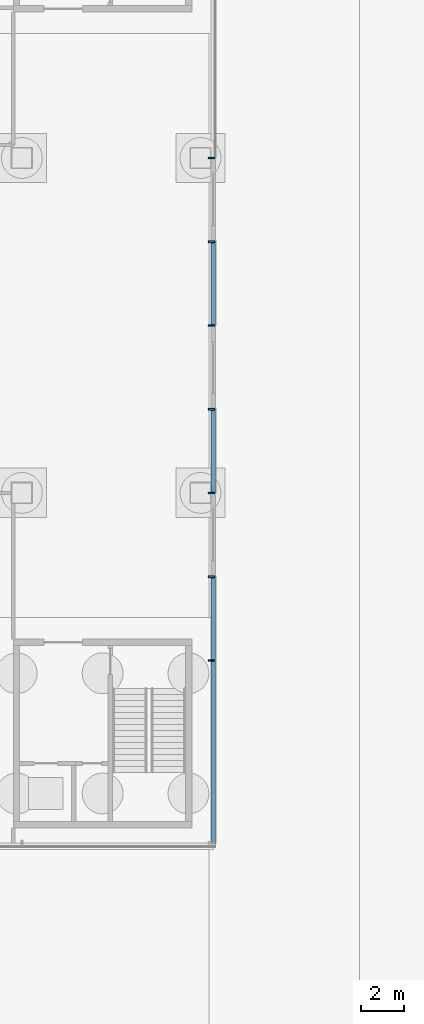
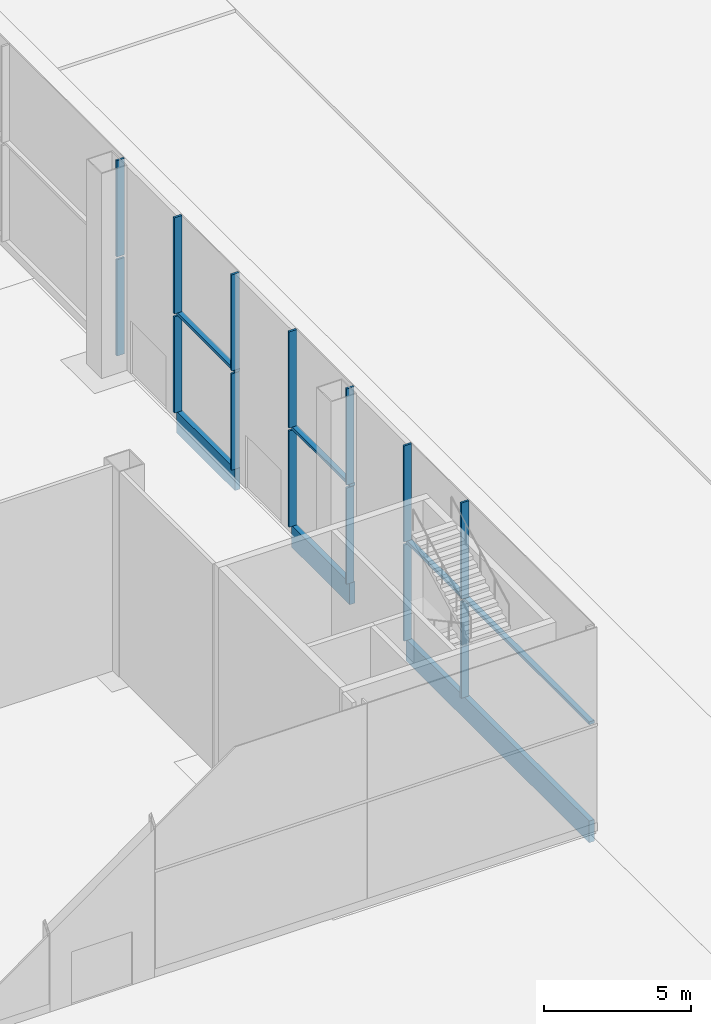
# One storey, part 27 of 113: 20 members, 1 element without a shape of its own.
"""IFC4 building model written with IfcOpenShell, lengths in metres."""

from ifc_helpers import new_model, si_unit, direction, frame, origin, origin_2d, place, context, subcontext, project, spatial, rectangle, extrude, material, layer, layer_set, material_profile, profile_set, type_object, element, aggregate, save


model = new_model("IFC4")

# Units and contexts
model_context = context("Model", 3, precision=1e-05, world=origin(), true_north=direction((0.0, 1.0)))
body_context = subcontext(model_context, "Body", "Model", "MODEL_VIEW")
ifc_project = project(units=[si_unit("LENGTHUNIT", "METRE"), si_unit("AREAUNIT", "SQUARE_METRE"), si_unit("VOLUMEUNIT", "CUBIC_METRE"), si_unit("PLANEANGLEUNIT", "RADIAN"), si_unit("MASSUNIT", "GRAM", prefix="KILO")], contexts=[model_context])

# Site, building, storey
site_placement = place(None, origin())
site = spatial("IfcSite", under=ifc_project, at=site_placement, CompositionType="ELEMENT")
building_placement = place(site_placement, origin())
building = spatial("IfcBuilding", under=site, at=building_placement, Name="Hakoniwa Tower and Hamabe Station Hall", CompositionType="ELEMENT")
storey_placement = place(building_placement, origin())
storey = spatial("IfcBuildingStorey", under=building, at=storey_placement, Name="L01", CompositionType="ELEMENT", Elevation=0.0)

# Curtain wall, members
ifc_material_1 = material(Name="Dark low-e laminated glass", Category="glass")
ifc_layer = layer(ifc_material_1, 0.199951171875)
ifc_layer_set = layer_set([ifc_layer], Name="CW-7 STATION")
curtain_wall_type = type_object("IfcCurtainWallType", Name="CW-7 STATION", PredefinedType="NOTDEFINED", material=ifc_layer_set)
curtain_wall_placement = place(storey_placement, origin())
curtain_wall = element("IfcCurtainWall", 1, at=curtain_wall_placement, inside=storey, type_object=curtain_wall_type, Name="Station curtain wall L01 east", PredefinedType="NOTDEFINED")
ifc_material_2 = material(Name="Aluminium 6063-T5 black anodised", Category="aluminium")
ifc_material_profile_1 = material_profile(ifc_material_2, rectangle(XDim=0.199951171875, YDim=0.1201171875, at=origin_2d()), Name="CW MID TRANSOM 120X200")
ifc_profile_set_1 = profile_set([ifc_material_profile_1], Name="Aluminium 6063-T5 black anodised")
member_type_1 = type_object("IfcMemberType", Name="CW MID TRANSOM 120X200", PredefinedType="USERDEFINED", material=ifc_profile_set_1)
member_1_placement = place(storey_placement, frame((169.75, -24.10009765625, 4.39990234375), z_axis=(0.0, 1.0, 0.0), x_axis=(-1.0, 0.0, 0.0)))
member_1 = element("IfcMember", 2, at=member_1_placement, type_object=member_type_1, Name="CW-7 transom", ObjectType="TRANSOM", PredefinedType="USERDEFINED", context=body_context, shape_type="SweptSolid", body=[
    extrude(rectangle(XDim=0.199951171875, YDim=0.1201171875, at=origin_2d()), origin(), (0.0, 0.0, 1.0), 12.43017578125),
])
member_2_placement = place(storey_placement, frame((169.75, -7.830078125, 4.39990234375), z_axis=(0.0, 1.0, 0.0), x_axis=(-1.0, 0.0, 0.0)))
member_2 = element("IfcMember", 3, at=member_2_placement, type_object=member_type_1, Name="CW-7 transom", ObjectType="TRANSOM", PredefinedType="USERDEFINED", context=body_context, shape_type="SweptSolid", body=[
    extrude(rectangle(XDim=0.199951171875, YDim=0.1201171875, at=origin_2d()), origin(), (0.0, 0.0, 1.0), 3.9599609375),
])
member_3_placement = place(storey_placement, frame((169.75, -0.030029296875, 4.39990234375), z_axis=(0.0, 1.0, 0.0), x_axis=(-1.0, 0.0, 0.0)))
member_3 = element("IfcMember", 4, at=member_3_placement, type_object=member_type_1, Name="CW-7 transom", ObjectType="TRANSOM", PredefinedType="USERDEFINED", context=body_context, shape_type="SweptSolid", body=[
    extrude(rectangle(XDim=0.199951171875, YDim=0.1201171875, at=origin_2d()), origin(), (0.0, 0.0, 1.0), 3.9599609375),
])
ifc_material_3 = material(Name="Aluminium 6063-T5 black anodised", Category="aluminium")
ifc_material_profile_2 = material_profile(ifc_material_3, rectangle(XDim=0.199951171875, YDim=0.89990234375, at=origin_2d()), Name="CW SLAB-EDGE BAND 900X200")
ifc_profile_set_2 = profile_set([ifc_material_profile_2], Name="Aluminium 6063-T5 black anodised")
member_type_2 = type_object("IfcMemberType", Name="CW SLAB-EDGE BAND 900X200", PredefinedType="USERDEFINED", material=ifc_profile_set_2)
member_4_placement = place(storey_placement, frame((169.75, -24.10009765625, -0.10009765625), z_axis=(0.0, 1.0, 0.0), x_axis=(-1.0, 0.0, 0.0)))
member_4 = element("IfcMember", 5, at=member_4_placement, type_object=member_type_2, Name="CW-7 transom", ObjectType="TRANSOM", PredefinedType="USERDEFINED", context=body_context, shape_type="SweptSolid", body=[
    extrude(rectangle(XDim=0.199951171875, YDim=0.89990234375, at=origin_2d()), origin(), (0.0, 0.0, 1.0), 12.43017578125),
])
member_5_placement = place(storey_placement, frame((169.75, -7.830078125, -0.10009765625), z_axis=(0.0, 1.0, 0.0), x_axis=(-1.0, 0.0, 0.0)))
member_5 = element("IfcMember", 6, at=member_5_placement, type_object=member_type_2, Name="CW-7 transom", ObjectType="TRANSOM", PredefinedType="USERDEFINED", context=body_context, shape_type="SweptSolid", body=[
    extrude(rectangle(XDim=0.199951171875, YDim=0.89990234375, at=origin_2d()), origin(), (0.0, 0.0, 1.0), 3.9599609375),
])
member_6_placement = place(storey_placement, frame((169.75, -0.030029296875, -0.10009765625), z_axis=(0.0, 1.0, 0.0), x_axis=(-1.0, 0.0, 0.0)))
member_6 = element("IfcMember", 7, at=member_6_placement, type_object=member_type_2, Name="CW-7 transom", ObjectType="TRANSOM", PredefinedType="USERDEFINED", context=body_context, shape_type="SweptSolid", body=[
    extrude(rectangle(XDim=0.199951171875, YDim=0.89990234375, at=origin_2d()), origin(), (0.0, 0.0, 1.0), 3.9599609375),
])
ifc_material_4 = material(Name="Aluminium 6063-T5 black anodised", Category="aluminium")
ifc_material_profile_3 = material_profile(ifc_material_4, rectangle(XDim=0.080078125, YDim=0.300048828125, at=origin_2d()), Name="CW-3 MULLION 80X300")
ifc_profile_set_3 = profile_set([ifc_material_profile_3], Name="Aluminium 6063-T5 black anodised")
member_type_3 = type_object("IfcMemberType", Name="CW-3 MULLION 80X300", PredefinedType="MULLION", material=ifc_profile_set_3)
member_7_placement = place(storey_placement, frame((169.672119140625, -15.60009765625, 0.35009765625), z_axis=(0.0, 0.0, 1.0), x_axis=(0.0, 1.0, 0.0)))
member_7 = element("IfcMember", 8, at=member_7_placement, type_object=member_type_3, Name="CW-7 mullion", PredefinedType="MULLION", context=body_context, shape_type="SweptSolid", body=[
    extrude(rectangle(XDim=0.080078125, YDim=0.300048828125, at=origin_2d()), origin(), (0.0, 0.0, 1.0), 3.989990234375),
])
member_8_placement = place(storey_placement, frame((169.672119140625, -15.60009765625, 4.4599609375), z_axis=(0.0, 0.0, 1.0), x_axis=(0.0, 1.0, 0.0)))
member_8 = element("IfcMember", 9, at=member_8_placement, type_object=member_type_3, Name="CW-7 mullion", PredefinedType="MULLION", context=body_context, shape_type="SweptSolid", body=[
    extrude(rectangle(XDim=0.080078125, YDim=0.300048828125, at=origin_2d()), origin(), (0.0, 0.0, 1.0), 3.989990234375),
])
member_9_placement = place(storey_placement, frame((169.672119140625, -11.699951171875, 0.35009765625), z_axis=(0.0, 0.0, 1.0), x_axis=(0.0, 1.0, 0.0)))
member_9 = element("IfcMember", 10, at=member_9_placement, type_object=member_type_3, Name="CW-7 mullion", PredefinedType="MULLION", context=body_context, shape_type="SweptSolid", body=[
    extrude(rectangle(XDim=0.080078125, YDim=0.300048828125, at=origin_2d()), origin(), (0.0, 0.0, 1.0), 3.989990234375),
])
member_10_placement = place(storey_placement, frame((169.672119140625, -11.699951171875, 4.4599609375), z_axis=(0.0, 0.0, 1.0), x_axis=(0.0, 1.0, 0.0)))
member_10 = element("IfcMember", 11, at=member_10_placement, type_object=member_type_3, Name="CW-7 mullion", PredefinedType="MULLION", context=body_context, shape_type="SweptSolid", body=[
    extrude(rectangle(XDim=0.080078125, YDim=0.300048828125, at=origin_2d()), origin(), (0.0, 0.0, 1.0), 3.989990234375),
])
member_11_placement = place(storey_placement, frame((169.672119140625, -7.800048828125, 0.35009765625), z_axis=(0.0, 0.0, 1.0), x_axis=(0.0, 1.0, 0.0)))
member_11 = element("IfcMember", 12, at=member_11_placement, type_object=member_type_3, Name="CW-7 mullion", PredefinedType="MULLION", context=body_context, shape_type="SweptSolid", body=[
    extrude(rectangle(XDim=0.080078125, YDim=0.300048828125, at=origin_2d()), origin(), (0.0, 0.0, 1.0), 3.989990234375),
])
member_12_placement = place(storey_placement, frame((169.672119140625, -7.800048828125, 4.4599609375), z_axis=(0.0, 0.0, 1.0), x_axis=(0.0, 1.0, 0.0)))
member_12 = element("IfcMember", 13, at=member_12_placement, type_object=member_type_3, Name="CW-7 mullion", PredefinedType="MULLION", context=body_context, shape_type="SweptSolid", body=[
    extrude(rectangle(XDim=0.080078125, YDim=0.300048828125, at=origin_2d()), origin(), (0.0, 0.0, 1.0), 3.989990234375),
])
member_13_placement = place(storey_placement, frame((169.672119140625, -3.89990234375, 0.35009765625), z_axis=(0.0, 0.0, 1.0), x_axis=(0.0, 1.0, 0.0)))
member_13 = element("IfcMember", 14, at=member_13_placement, type_object=member_type_3, Name="CW-7 mullion", PredefinedType="MULLION", context=body_context, shape_type="SweptSolid", body=[
    extrude(rectangle(XDim=0.080078125, YDim=0.300048828125, at=origin_2d()), origin(), (0.0, 0.0, 1.0), 3.989990234375),
])
member_14_placement = place(storey_placement, frame((169.672119140625, -3.89990234375, 4.4599609375), z_axis=(0.0, 0.0, 1.0), x_axis=(0.0, 1.0, 0.0)))
member_14 = element("IfcMember", 15, at=member_14_placement, type_object=member_type_3, Name="CW-7 mullion", PredefinedType="MULLION", context=body_context, shape_type="SweptSolid", body=[
    extrude(rectangle(XDim=0.080078125, YDim=0.300048828125, at=origin_2d()), origin(), (0.0, 0.0, 1.0), 3.989990234375),
])
member_15_placement = place(storey_placement, frame((169.672119140625, 0.0, 0.35009765625), z_axis=(0.0, 0.0, 1.0), x_axis=(0.0, 1.0, 0.0)))
member_15 = element("IfcMember", 16, at=member_15_placement, type_object=member_type_3, Name="CW-7 mullion", PredefinedType="MULLION", context=body_context, shape_type="SweptSolid", body=[
    extrude(rectangle(XDim=0.080078125, YDim=0.300048828125, at=origin_2d()), origin(), (0.0, 0.0, 1.0), 3.989990234375),
])
member_16_placement = place(storey_placement, frame((169.672119140625, 0.0, 4.4599609375), z_axis=(0.0, 0.0, 1.0), x_axis=(0.0, 1.0, 0.0)))
member_16 = element("IfcMember", 17, at=member_16_placement, type_object=member_type_3, Name="CW-7 mullion", PredefinedType="MULLION", context=body_context, shape_type="SweptSolid", body=[
    extrude(rectangle(XDim=0.080078125, YDim=0.300048828125, at=origin_2d()), origin(), (0.0, 0.0, 1.0), 3.989990234375),
])
member_17_placement = place(storey_placement, frame((169.672119140625, 3.89990234375, 0.35009765625), z_axis=(0.0, 0.0, 1.0), x_axis=(0.0, 1.0, 0.0)))
member_17 = element("IfcMember", 18, at=member_17_placement, type_object=member_type_3, Name="CW-7 mullion", PredefinedType="MULLION", context=body_context, shape_type="SweptSolid", body=[
    extrude(rectangle(XDim=0.080078125, YDim=0.300048828125, at=origin_2d()), origin(), (0.0, 0.0, 1.0), 3.989990234375),
])
member_18_placement = place(storey_placement, frame((169.672119140625, 3.89990234375, 4.4599609375), z_axis=(0.0, 0.0, 1.0), x_axis=(0.0, 1.0, 0.0)))
member_18 = element("IfcMember", 19, at=member_18_placement, type_object=member_type_3, Name="CW-7 mullion", PredefinedType="MULLION", context=body_context, shape_type="SweptSolid", body=[
    extrude(rectangle(XDim=0.080078125, YDim=0.300048828125, at=origin_2d()), origin(), (0.0, 0.0, 1.0), 3.989990234375),
])
member_19_placement = place(storey_placement, frame((169.672119140625, 7.800048828125, 0.35009765625), z_axis=(0.0, 0.0, 1.0), x_axis=(0.0, 1.0, 0.0)))
member_19 = element("IfcMember", 20, at=member_19_placement, type_object=member_type_3, Name="CW-7 mullion", PredefinedType="MULLION", context=body_context, shape_type="SweptSolid", body=[
    extrude(rectangle(XDim=0.080078125, YDim=0.300048828125, at=origin_2d()), origin(), (0.0, 0.0, 1.0), 3.989990234375),
])
member_20_placement = place(storey_placement, frame((169.672119140625, 7.800048828125, 4.4599609375), z_axis=(0.0, 0.0, 1.0), x_axis=(0.0, 1.0, 0.0)))
member_20 = element("IfcMember", 21, at=member_20_placement, type_object=member_type_3, Name="CW-7 mullion", PredefinedType="MULLION", context=body_context, shape_type="SweptSolid", body=[
    extrude(rectangle(XDim=0.080078125, YDim=0.300048828125, at=origin_2d()), origin(), (0.0, 0.0, 1.0), 3.989990234375),
])
aggregate(curtain_wall, [member_7, member_8, member_9, member_10, member_11, member_12, member_13, member_14, member_15, member_16, member_17, member_18, member_19, member_20, member_4, member_1, member_5, member_2, member_6, member_3])

save(model, "model.ifc")
